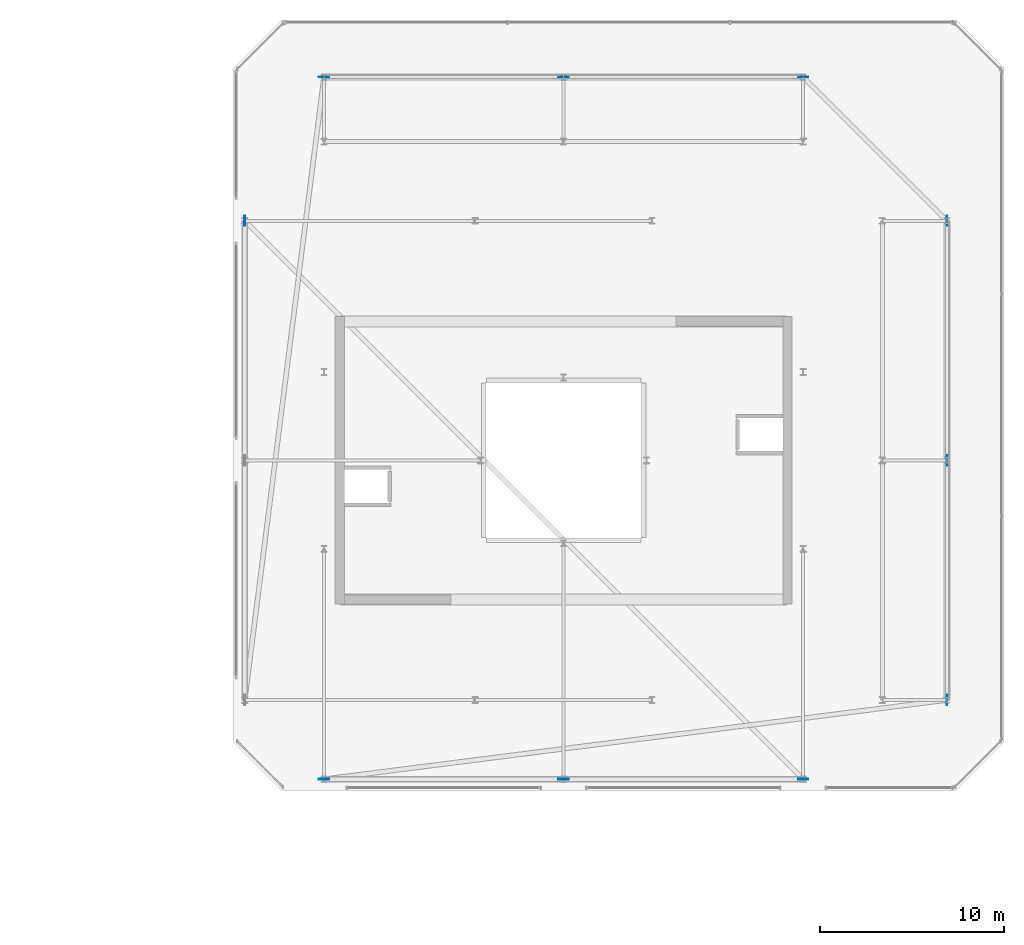
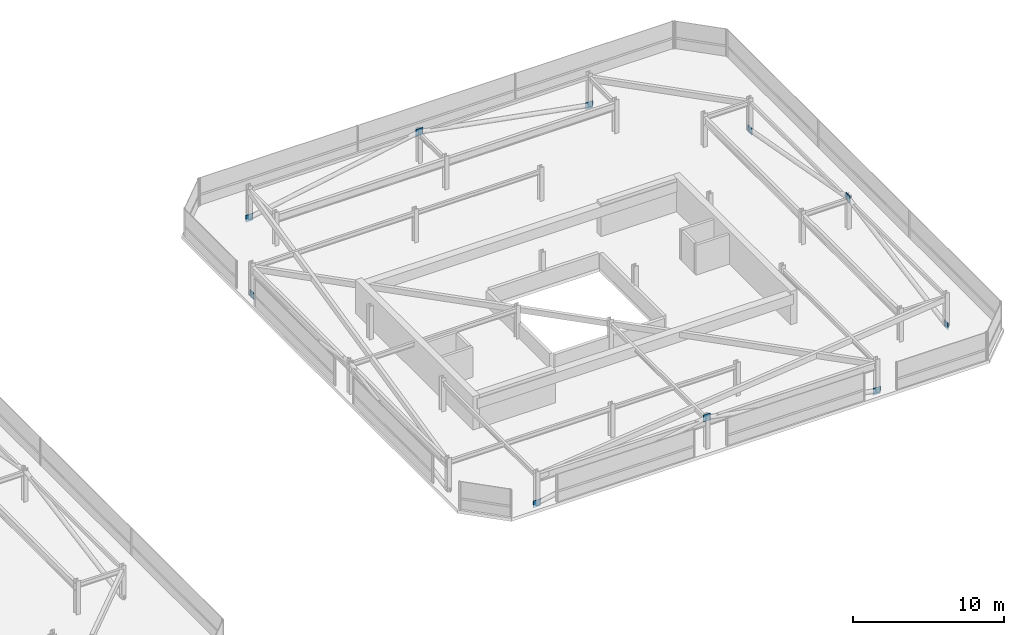
# One storey, part 41 of 42: 10 plates.
"""IFC4 building model written with IfcOpenShell, lengths in metres."""

from ifc_helpers import new_model, si_unit, direction, frame, origin, origin_2d, place, context, subcontext, project, spatial, rectangle, extrude, material, layer, layer_set, type_object, element, save


model = new_model("IFC4")

# Units and contexts
model_context = context("Model", 3, precision=1e-05, world=origin(), true_north=direction((0.0, 1.0)))
body_context = subcontext(model_context, "Body", "Model", "MODEL_VIEW")
ifc_project = project(units=[si_unit("LENGTHUNIT", "METRE"), si_unit("AREAUNIT", "SQUARE_METRE"), si_unit("VOLUMEUNIT", "CUBIC_METRE"), si_unit("PLANEANGLEUNIT", "RADIAN"), si_unit("MASSUNIT", "GRAM", prefix="KILO")], contexts=[model_context])

# Site, building, storey
site_placement = place(None, origin())
site = spatial("IfcSite", under=ifc_project, at=site_placement, CompositionType="ELEMENT")
building_placement = place(site_placement, origin())
building = spatial("IfcBuilding", under=site, at=building_placement, Name="Thornwick Lancets Civic Towers", CompositionType="ELEMENT")
storey_placement = place(building_placement, frame((0.0, 0.0, 284.10009765625)))
storey = spatial("IfcBuildingStorey", under=building, at=storey_placement, Name="C02", CompositionType="ELEMENT", Elevation=284.10009765625)

# Plates
ifc_material = material(Name="Steel S460M", Category="steel")
ifc_layer = layer(ifc_material, 0.0400390625, Name="Steel S460M")
ifc_layer_set = layer_set([ifc_layer], Name="Steel S460M")
plate_type = type_object("IfcPlateType", Name="PLT_GUSSET_40", PredefinedType="USERDEFINED", material=ifc_layer_set)
for number, where, z_axis, x_axis, name in (
    (1, (109.300048828125, 14.0, -0.22509765625), (0.0, 0.0, 1.0), (0.0, 1.0, 0.0), "C02 Brace Connection Gusset Plate 0473"),
    (2, (109.300048828125, 27.0, 2.1650390625), (0.0, 0.0, 1.0), (0.0, 1.0, 0.0), "C02 Brace Connection Gusset Plate 0474"),
    (3, (109.300048828125, 40.0, -0.22509765625), (0.0, 0.0, 1.0), (0.0, -1.0, 0.0), "C02 Brace Connection Gusset Plate 0475"),
    (4, (101.5, 47.800048828125, -0.22509765625), (0.0, 0.0, 1.0), (-1.0, 0.0, 0.0), "C02 Brace Connection Gusset Plate 0476"),
    (5, (88.5, 47.800048828125, 2.1650390625), (0.0, 0.0, 1.0), (-1.0, 0.0, 0.0), "C02 Brace Connection Gusset Plate 0477"),
    (6, (75.5, 47.800048828125, -0.22509765625), (0.0, 0.0, 1.0), (1.0, 0.0, 0.0), "C02 Brace Connection Gusset Plate 0478"),
    (7, (71.199951171875, 40.0, -0.22509765625), (0.0, 0.0, 1.0), (0.0, -1.0, 0.0), "C02 Brace Connection Gusset Plate 0481"),
    (8, (101.5, 9.699951171875, -0.22509765625), (0.0, 0.0, 1.0), (-1.0, 0.0, 0.0), "C02 Brace Connection Gusset Plate 0482"),
    (9, (88.5, 9.699951171875, 2.1650390625), (0.0, 0.0, 1.0), (-1.0, 0.0, 0.0), "C02 Brace Connection Gusset Plate 0483"),
    (10, (75.5, 9.699951171875, -0.22509765625), (0.0, 0.0, 1.0), (1.0, 0.0, 0.0), "C02 Brace Connection Gusset Plate 0484"),
):
    element("IfcPlate", number, at=place(storey_placement, frame(where, z_axis=z_axis, x_axis=x_axis)), inside=storey, type_object=plate_type, Name=name, ObjectType="GUSSET_PLATE", PredefinedType="USERDEFINED", context=body_context, shape_type="SweptSolid", body=[
        extrude(rectangle(XDim=0.550048828125, YDim=0.0400390625, at=origin_2d()), origin(), (0.0, 0.0, 1.0), 0.550048828125),
    ])

save(model, "model.ifc")
